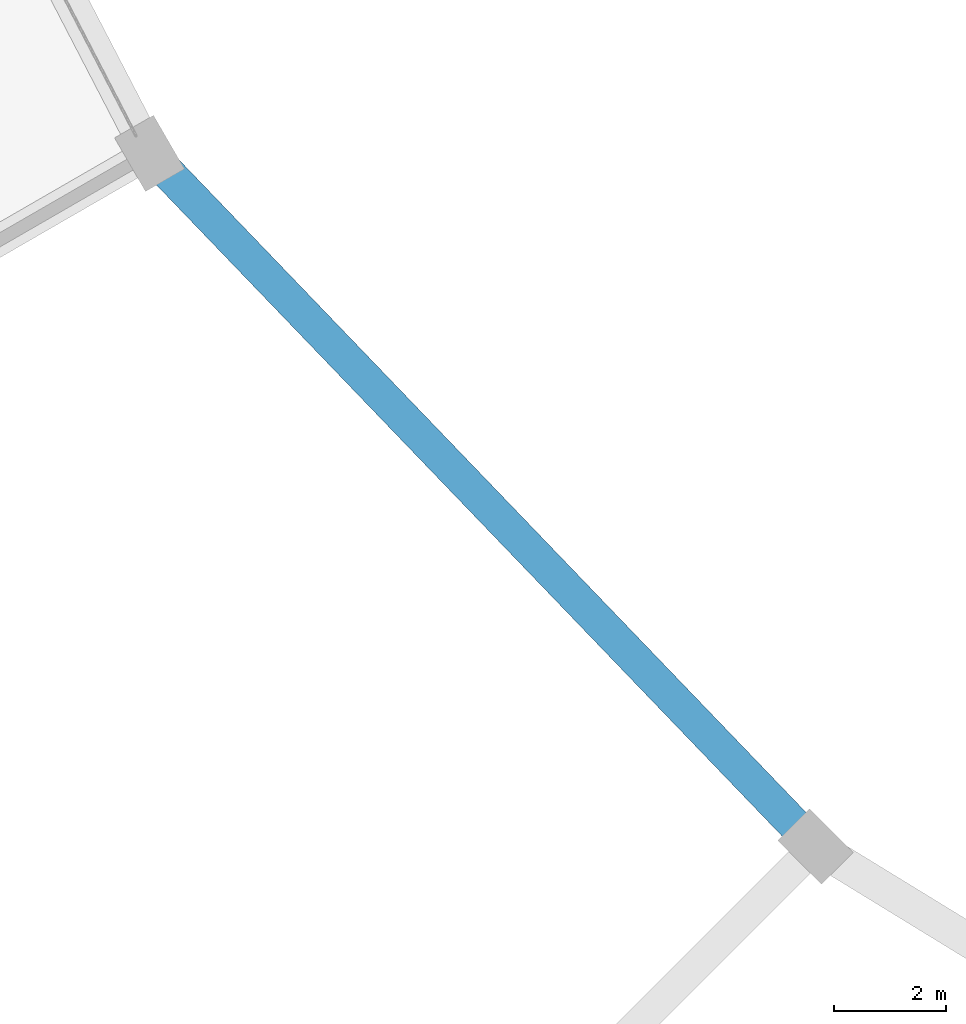
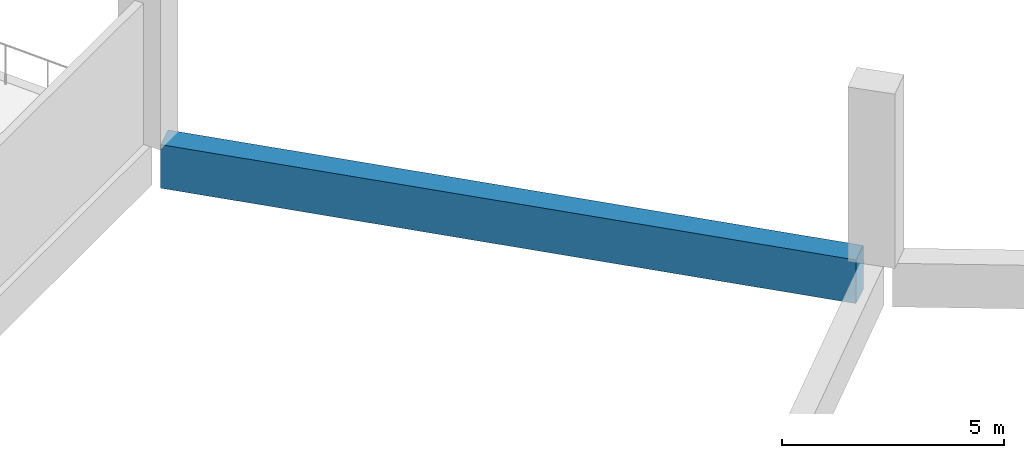
# One storey, part 6 of 64: 1 beam.
"""IFC4 building model written with IfcOpenShell, lengths in metres."""

from ifc_helpers import new_model, si_unit, direction, frame, origin, origin_2d, place, context, subcontext, project, spatial, rectangle, extrude, material, material_profile, profile_set, type_object, element, save


model = new_model("IFC4")

# Units and contexts
model_context = context("Model", 3, precision=1e-05, world=origin(), true_north=direction((0.0, 1.0)))
body_context = subcontext(model_context, "Body", "Model", "MODEL_VIEW")
ifc_project = project(units=[si_unit("LENGTHUNIT", "METRE"), si_unit("AREAUNIT", "SQUARE_METRE"), si_unit("VOLUMEUNIT", "CUBIC_METRE"), si_unit("PLANEANGLEUNIT", "RADIAN"), si_unit("MASSUNIT", "GRAM", prefix="KILO")], contexts=[model_context])

# Site, building, storey
site_placement = place(None, origin())
site = spatial("IfcSite", under=ifc_project, at=site_placement, CompositionType="ELEMENT")
building_placement = place(site_placement, origin())
building = spatial("IfcBuilding", under=site, at=building_placement, Name="Zevraka Park Crest Stadium", CompositionType="ELEMENT")
storey_placement = place(building_placement, frame((0.0, 0.0, 24.60009765625)))
storey = spatial("IfcBuildingStorey", under=building, at=storey_placement, Name="L05", CompositionType="ELEMENT", Elevation=24.60009765625)

# Beam
ifc_material = material(Name="Concrete C40/50", Category="concrete")
ifc_material_profile = material_profile(ifc_material, rectangle(XDim=0.60009765625, YDim=1.199951171875, at=origin_2d()), Name="RC 1200x600")
ifc_profile_set = profile_set([ifc_material_profile], Name="Concrete C40/50")
beam_type = type_object("IfcBeamType", Name="RB01", PredefinedType="BEAM", material=ifc_profile_set)
beam_placement = place(storey_placement, frame((47.743896484375, 61.97607421875, -0.610107421875), z_axis=(0.692852617328, -0.721079226342, 0.0), x_axis=(0.721079226342, 0.692852617328, 0.0)))
element("IfcBeam", 1, at=beam_placement, inside=storey, type_object=beam_type, Name="Ring Beam RB01 L05-B-14", PredefinedType="BEAM", context=body_context, shape_type="SweptSolid", body=[
    extrude(rectangle(XDim=0.60009765625, YDim=1.199951171875, at=origin_2d()), origin(), (0.0, 0.0, 1.0), 16.329833984375),
])

save(model, "model.ifc")
